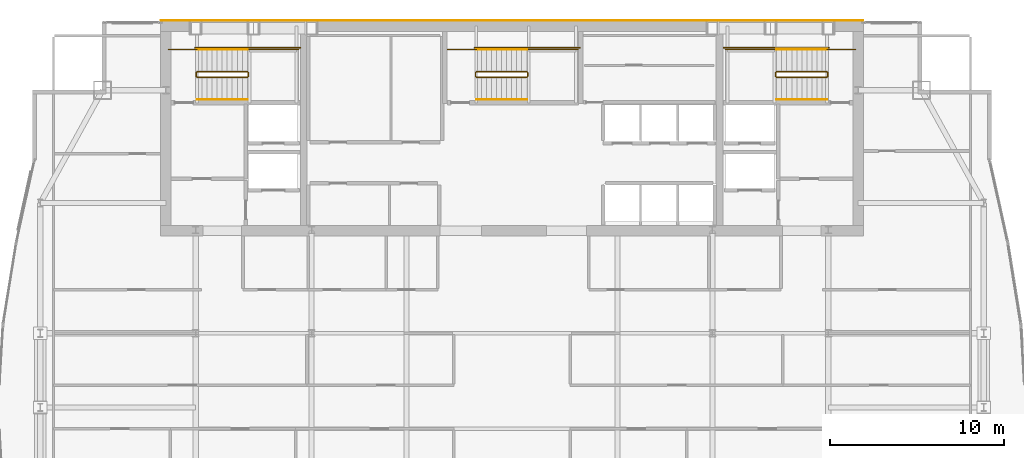
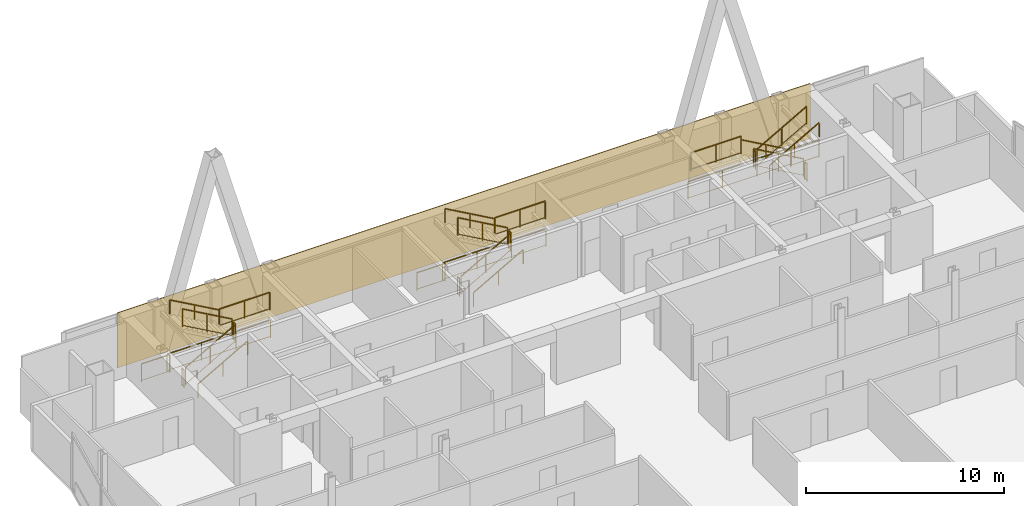
# One storey, part 31 of 31: 27 railings, 1 covering.
"""IFC4 building model written with IfcOpenShell, lengths in metres."""

from ifc_helpers import new_model, si_unit, direction, frame, origin, origin_2d, place, context, subcontext, project, spatial, polyline, rectangle, outline, extrude, material, layer, layer_set, type_object, element, save


model = new_model("IFC4")

# Units and contexts
model_context = context("Model", 3, precision=1e-05, world=origin(), true_north=direction((0.0, 1.0)))
body_context = subcontext(model_context, "Body", "Model", "MODEL_VIEW")
ifc_project = project(units=[si_unit("LENGTHUNIT", "METRE"), si_unit("AREAUNIT", "SQUARE_METRE"), si_unit("VOLUMEUNIT", "CUBIC_METRE"), si_unit("PLANEANGLEUNIT", "RADIAN"), si_unit("MASSUNIT", "GRAM", prefix="KILO")], contexts=[model_context])

# Site, building, storey
site_placement = place(None, origin())
site = spatial("IfcSite", under=ifc_project, at=site_placement, CompositionType="ELEMENT")
building_placement = place(site_placement, origin())
building = spatial("IfcBuilding", under=site, at=building_placement, Name="Khoronbel Lancet Exchange", CompositionType="ELEMENT")
storey_placement = place(building_placement, frame((0.0, 0.0, 261.800048828125)))
storey = spatial("IfcBuildingStorey", under=building, at=storey_placement, Name="L67", CompositionType="ELEMENT", Elevation=261.800048828125)

# Covering
ifc_material_1 = material(Name="Honed Egyptian Limestone & Bronze Rainscreen", Category="masonry")
ifc_layer = layer(ifc_material_1, 0.050048828125, Name="Honed Egyptian Limestone & Bronze Rainscreen")
ifc_layer_set = layer_set([ifc_layer], Name="Honed Egyptian Limestone & Bronze Rainscreen")
covering_type = type_object("IfcCoveringType", Name="COV-CLAD1", PredefinedType="CLADDING", material=ifc_layer_set)
covering_placement = place(storey_placement, origin())
element("IfcCovering", 1, at=covering_placement, inside=storey, type_object=covering_type, Name="Level L67 north rear-core stone and bronze rainscreen cladding", PredefinedType="CLADDING", context=body_context, shape_type="SweptSolid", body=[
    extrude(outline(polyline([(16.199951171875, 53.699951171875), (56.699951171875, 53.699951171875), (56.699951171875, 53.75), (16.199951171875, 53.75), (16.199951171875, 53.699951171875)])), origin(), (0.0, 0.0, 1.0), 3.39990234375),
])

# Railings
ifc_material_2 = material(Name="Painted Steel Balustrade", Category="steel")
railing_type_1 = type_object("IfcRailingType", Name="RL-STG110", PredefinedType="GUARDRAIL", material=ifc_material_2)
railing_1_placement = place(storey_placement, frame((18.300048828125, 50.449951171875, 0.16357421875)))
element("IfcRailing", 2, at=railing_1_placement, inside=storey, type_object=railing_type_1, Name="L67 ST1 stair guard 1", PredefinedType="GUARDRAIL", context=body_context, shape_type="SweptSolid", body=[
    extrude(rectangle(XDim=0.048095703125, YDim=0.048095703125, at=origin_2d()), frame((0.0, 0.0, 1.09619140625), z_axis=(0.870897200241, 0.0, 0.491465224214), x_axis=(0.0, 1.0, 0.0)), (0.0, 0.0, 1.0), 3.329833984375),
    extrude(rectangle(XDim=0.02392578125, YDim=0.02392578125, at=origin_2d()), frame((0.0, 0.0, 0.080078125), z_axis=(0.870897200241, 0.0, 0.491465224214), x_axis=(0.0, 1.0, 0.0)), (0.0, 0.0, 1.0), 3.329833984375),
    extrude(rectangle(XDim=0.0419921875, YDim=0.0419921875, at=origin_2d()), origin(), (0.0, 0.0, 1.0), 1.072021484375),
    extrude(rectangle(XDim=0.0419921875, YDim=0.0419921875, at=origin_2d()), frame((1.449951171875, 0.0, 0.818359375)), (0.0, 0.0, 1.0), 1.072021484375),
    extrude(rectangle(XDim=0.0419921875, YDim=0.0419921875, at=origin_2d()), frame((2.89990234375, 0.0, 1.636474609375)), (0.0, 0.0, 1.0), 1.072021484375),
])
railing_2_placement = place(storey_placement, frame((21.25, 50.5, 1.800048828125)))
element("IfcRailing", 3, at=railing_2_placement, inside=storey, type_object=railing_type_1, Name="L67 ST1 stair guard 2", PredefinedType="GUARDRAIL", context=body_context, shape_type="SweptSolid", body=[
    extrude(rectangle(XDim=0.048095703125, YDim=0.048095703125, at=origin_2d()), frame((0.0, 0.0, 1.09619140625), z_axis=(0.0, 1.0, 0.0), x_axis=(-1.0, 0.0, 0.0)), (0.0, 0.0, 1.0), 0.219970703125),
    extrude(rectangle(XDim=0.02392578125, YDim=0.02392578125, at=origin_2d()), frame((0.0, 0.0, 0.080078125), z_axis=(0.0, 1.0, 0.0), x_axis=(-1.0, 0.0, 0.0)), (0.0, 0.0, 1.0), 0.219970703125),
    extrude(rectangle(XDim=0.0419921875, YDim=0.0419921875, at=origin_2d()), origin(), (0.0, 0.0, 1.0), 1.072021484375),
    extrude(rectangle(XDim=0.0419921875, YDim=0.0419921875, at=origin_2d()), frame((0.0, 0.219970703125, 0.0)), (0.0, 0.0, 1.0), 1.072021484375),
])
railing_3_placement = place(storey_placement, frame((21.199951171875, 52.050048828125, 1.800048828125)))
element("IfcRailing", 4, at=railing_3_placement, inside=storey, type_object=railing_type_1, Name="L67 ST1 stair guard 3", PredefinedType="GUARDRAIL", context=body_context, shape_type="SweptSolid", body=[
    extrude(rectangle(XDim=0.048095703125, YDim=0.048095703125, at=origin_2d()), frame((0.0, 0.0, 1.09619140625), z_axis=(1.0, 0.0, 0.0), x_axis=(0.0, 1.0, 0.0)), (0.0, 0.0, 1.0), 2.949951171875),
    extrude(rectangle(XDim=0.02392578125, YDim=0.02392578125, at=origin_2d()), frame((0.0, 0.0, 0.080078125), z_axis=(1.0, 0.0, 0.0), x_axis=(0.0, 1.0, 0.0)), (0.0, 0.0, 1.0), 2.949951171875),
    extrude(rectangle(XDim=0.0419921875, YDim=0.0419921875, at=origin_2d()), origin(), (0.0, 0.0, 1.0), 1.072021484375),
    extrude(rectangle(XDim=0.0419921875, YDim=0.0419921875, at=origin_2d()), frame((1.47509765625, 0.0, 0.0)), (0.0, 0.0, 1.0), 1.072021484375),
    extrude(rectangle(XDim=0.0419921875, YDim=0.0419921875, at=origin_2d()), frame((2.949951171875, 0.0, 0.0)), (0.0, 0.0, 1.0), 1.072021484375),
])
railing_4_placement = place(storey_placement, frame((21.199951171875, 50.77001953125, 1.963623046875)))
element("IfcRailing", 5, at=railing_4_placement, inside=storey, type_object=railing_type_1, Name="L67 ST1 stair guard 4", PredefinedType="GUARDRAIL", context=body_context, shape_type="SweptSolid", body=[
    extrude(rectangle(XDim=0.048095703125, YDim=0.048095703125, at=origin_2d()), frame((0.0, 0.0, 1.09619140625), z_axis=(-0.870928581787, 0.0, 0.491409610636), x_axis=(0.0, -1.0, 0.0)), (0.0, 0.0, 1.0), 3.32958984375),
    extrude(rectangle(XDim=0.02392578125, YDim=0.02392578125, at=origin_2d()), frame((0.0, 0.0, 0.080078125), z_axis=(-0.870928581787, 0.0, 0.491409610636), x_axis=(0.0, -1.0, 0.0)), (0.0, 0.0, 1.0), 3.32958984375),
    extrude(rectangle(XDim=0.0419921875, YDim=0.0419921875, at=origin_2d()), origin(), (0.0, 0.0, 1.0), 1.072021484375),
    extrude(rectangle(XDim=0.0419921875, YDim=0.0419921875, at=origin_2d()), frame((-1.449951171875, 0.0, 0.818115234375)), (0.0, 0.0, 1.0), 1.072021484375),
    extrude(rectangle(XDim=0.0419921875, YDim=0.0419921875, at=origin_2d()), frame((-2.89990234375, 0.0, 1.63623046875)), (0.0, 0.0, 1.0), 1.072021484375),
])
railing_5_placement = place(storey_placement, frame((18.25, 50.5, 0.0)))
element("IfcRailing", 6, at=railing_5_placement, inside=storey, type_object=railing_type_1, Name="L67 ST1 stair guard 5", PredefinedType="GUARDRAIL", context=body_context, shape_type="SweptSolid", body=[
    extrude(rectangle(XDim=0.048095703125, YDim=0.048095703125, at=origin_2d()), frame((0.0, 0.0, 1.09619140625), z_axis=(0.0, 1.0, 0.0), x_axis=(-1.0, 0.0, 0.0)), (0.0, 0.0, 1.0), 0.219970703125),
    extrude(rectangle(XDim=0.02392578125, YDim=0.02392578125, at=origin_2d()), frame((0.0, 0.0, 0.080078125), z_axis=(0.0, 1.0, 0.0), x_axis=(-1.0, 0.0, 0.0)), (0.0, 0.0, 1.0), 0.219970703125),
    extrude(rectangle(XDim=0.0419921875, YDim=0.0419921875, at=origin_2d()), origin(), (0.0, 0.0, 1.0), 1.072021484375),
    extrude(rectangle(XDim=0.0419921875, YDim=0.0419921875, at=origin_2d()), frame((0.0, 0.219970703125, 0.0)), (0.0, 0.0, 1.0), 1.072021484375),
])
railing_6_placement = place(storey_placement, frame((16.64990234375, 52.050048828125, 0.0)))
element("IfcRailing", 7, at=railing_6_placement, inside=storey, type_object=railing_type_1, Name="L67 ST1 stair guard 6", PredefinedType="GUARDRAIL", context=body_context, shape_type="SweptSolid", body=[
    extrude(rectangle(XDim=0.048095703125, YDim=0.048095703125, at=origin_2d()), frame((0.0, 0.0, 1.09619140625), z_axis=(1.0, 0.0, 0.0), x_axis=(0.0, 1.0, 0.0)), (0.0, 0.0, 1.0), 1.650146484375),
    extrude(rectangle(XDim=0.02392578125, YDim=0.02392578125, at=origin_2d()), frame((0.0, 0.0, 0.080078125), z_axis=(1.0, 0.0, 0.0), x_axis=(0.0, 1.0, 0.0)), (0.0, 0.0, 1.0), 1.650146484375),
    extrude(rectangle(XDim=0.0419921875, YDim=0.0419921875, at=origin_2d()), origin(), (0.0, 0.0, 1.0), 1.072021484375),
    extrude(rectangle(XDim=0.0419921875, YDim=0.0419921875, at=origin_2d()), frame((1.650146484375, 0.0, 0.0)), (0.0, 0.0, 1.0), 1.072021484375),
])
railing_7_placement = place(storey_placement, frame((18.199951171875, 52.14990234375, 0.0)))
element("IfcRailing", 8, at=railing_7_placement, inside=storey, type_object=railing_type_1, Name="L67 ST1 stair guard 7", PredefinedType="GUARDRAIL", context=body_context, shape_type="SweptSolid", body=[
    extrude(rectangle(XDim=0.048095703125, YDim=0.048095703125, at=origin_2d()), frame((0.0, 0.0, 1.09619140625), z_axis=(1.0, 0.0, 0.0), x_axis=(0.0, 1.0, 0.0)), (0.0, 0.0, 1.0), 6.050048828125),
    extrude(rectangle(XDim=0.02392578125, YDim=0.02392578125, at=origin_2d()), frame((0.0, 0.0, 0.080078125), z_axis=(1.0, 0.0, 0.0), x_axis=(0.0, 1.0, 0.0)), (0.0, 0.0, 1.0), 6.050048828125),
    extrude(rectangle(XDim=0.0419921875, YDim=0.0419921875, at=origin_2d()), origin(), (0.0, 0.0, 1.0), 1.072021484375),
    extrude(rectangle(XDim=0.0419921875, YDim=0.0419921875, at=origin_2d()), frame((2.0166015625, 0.0, 0.0)), (0.0, 0.0, 1.0), 1.072021484375),
    extrude(rectangle(XDim=0.0419921875, YDim=0.0419921875, at=origin_2d()), frame((4.033447265625, 0.0, 0.0)), (0.0, 0.0, 1.0), 1.072021484375),
    extrude(rectangle(XDim=0.0419921875, YDim=0.0419921875, at=origin_2d()), frame((6.050048828125, 0.0, 0.0)), (0.0, 0.0, 1.0), 1.072021484375),
])
railing_8_placement = place(storey_placement, frame((54.60009765625, 50.77001953125, 0.16357421875)))
element("IfcRailing", 9, at=railing_8_placement, inside=storey, type_object=railing_type_1, Name="L67 ST2 stair guard 1", PredefinedType="GUARDRAIL", context=body_context, shape_type="SweptSolid", body=[
    extrude(rectangle(XDim=0.048095703125, YDim=0.048095703125, at=origin_2d()), frame((0.0, 0.0, 1.09619140625), z_axis=(-0.870914908162, 0.0, 0.491433843708), x_axis=(0.0, -1.0, 0.0)), (0.0, 0.0, 1.0), 3.330078125),
    extrude(rectangle(XDim=0.02392578125, YDim=0.02392578125, at=origin_2d()), frame((0.0, 0.0, 0.080078125), z_axis=(-0.870914908162, 0.0, 0.491433843708), x_axis=(0.0, -1.0, 0.0)), (0.0, 0.0, 1.0), 3.330078125),
    extrude(rectangle(XDim=0.0419921875, YDim=0.0419921875, at=origin_2d()), origin(), (0.0, 0.0, 1.0), 1.072021484375),
    extrude(rectangle(XDim=0.0419921875, YDim=0.0419921875, at=origin_2d()), frame((-1.4501953125, 0.0, 0.818359375)), (0.0, 0.0, 1.0), 1.072021484375),
    extrude(rectangle(XDim=0.0419921875, YDim=0.0419921875, at=origin_2d()), frame((-2.900146484375, 0.0, 1.636474609375)), (0.0, 0.0, 1.0), 1.072021484375),
])
railing_9_placement = place(storey_placement, frame((51.64990234375, 50.719970703125, 1.800048828125)))
element("IfcRailing", 10, at=railing_9_placement, inside=storey, type_object=railing_type_1, Name="L67 ST2 stair guard 2", PredefinedType="GUARDRAIL", context=body_context, shape_type="SweptSolid", body=[
    extrude(rectangle(XDim=0.048095703125, YDim=0.048095703125, at=origin_2d()), frame((0.0, 0.0, 1.09619140625), z_axis=(0.0, -1.0, 0.0), x_axis=(1.0, 0.0, 0.0)), (0.0, 0.0, 1.0), 0.219970703125),
    extrude(rectangle(XDim=0.02392578125, YDim=0.02392578125, at=origin_2d()), frame((0.0, 0.0, 0.080078125), z_axis=(0.0, -1.0, 0.0), x_axis=(1.0, 0.0, 0.0)), (0.0, 0.0, 1.0), 0.219970703125),
    extrude(rectangle(XDim=0.0419921875, YDim=0.0419921875, at=origin_2d()), origin(), (0.0, 0.0, 1.0), 1.072021484375),
    extrude(rectangle(XDim=0.0419921875, YDim=0.0419921875, at=origin_2d()), frame((0.0, -0.219970703125, 0.0)), (0.0, 0.0, 1.0), 1.072021484375),
])
railing_10_placement = place(storey_placement, frame((51.699951171875, 52.050048828125, 1.800048828125)))
element("IfcRailing", 11, at=railing_10_placement, inside=storey, type_object=railing_type_1, Name="L67 ST2 stair guard 3", PredefinedType="GUARDRAIL", context=body_context, shape_type="SweptSolid", body=[
    extrude(rectangle(XDim=0.048095703125, YDim=0.048095703125, at=origin_2d()), frame((0.0, 0.0, 1.09619140625), z_axis=(-1.0, 0.0, 0.0), x_axis=(0.0, -1.0, 0.0)), (0.0, 0.0, 1.0), 2.949951171875),
    extrude(rectangle(XDim=0.02392578125, YDim=0.02392578125, at=origin_2d()), frame((0.0, 0.0, 0.080078125), z_axis=(-1.0, 0.0, 0.0), x_axis=(0.0, -1.0, 0.0)), (0.0, 0.0, 1.0), 2.949951171875),
    extrude(rectangle(XDim=0.0419921875, YDim=0.0419921875, at=origin_2d()), origin(), (0.0, 0.0, 1.0), 1.072021484375),
    extrude(rectangle(XDim=0.0419921875, YDim=0.0419921875, at=origin_2d()), frame((-1.47509765625, 0.0, 0.0)), (0.0, 0.0, 1.0), 1.072021484375),
    extrude(rectangle(XDim=0.0419921875, YDim=0.0419921875, at=origin_2d()), frame((-2.949951171875, 0.0, 0.0)), (0.0, 0.0, 1.0), 1.072021484375),
])
railing_11_placement = place(storey_placement, frame((51.699951171875, 50.449951171875, 1.963623046875)))
element("IfcRailing", 12, at=railing_11_placement, inside=storey, type_object=railing_type_1, Name="L67 ST2 stair guard 4", PredefinedType="GUARDRAIL", context=body_context, shape_type="SweptSolid", body=[
    extrude(rectangle(XDim=0.048095703125, YDim=0.048095703125, at=origin_2d()), frame((0.0, 0.0, 1.09619140625), z_axis=(0.870946286338, 0.0, 0.49137823142), x_axis=(0.0, 1.0, 0.0)), (0.0, 0.0, 1.0), 3.329833984375),
    extrude(rectangle(XDim=0.02392578125, YDim=0.02392578125, at=origin_2d()), frame((0.0, 0.0, 0.080078125), z_axis=(0.870946286338, 0.0, 0.49137823142), x_axis=(0.0, 1.0, 0.0)), (0.0, 0.0, 1.0), 3.329833984375),
    extrude(rectangle(XDim=0.0419921875, YDim=0.0419921875, at=origin_2d()), origin(), (0.0, 0.0, 1.0), 1.072021484375),
    extrude(rectangle(XDim=0.0419921875, YDim=0.0419921875, at=origin_2d()), frame((1.4501953125, 0.0, 0.818115234375)), (0.0, 0.0, 1.0), 1.072021484375),
    extrude(rectangle(XDim=0.0419921875, YDim=0.0419921875, at=origin_2d()), frame((2.900146484375, 0.0, 1.63623046875)), (0.0, 0.0, 1.0), 1.072021484375),
])
railing_12_placement = place(storey_placement, frame((54.64990234375, 50.719970703125, 0.0)))
element("IfcRailing", 13, at=railing_12_placement, inside=storey, type_object=railing_type_1, Name="L67 ST2 stair guard 5", PredefinedType="GUARDRAIL", context=body_context, shape_type="SweptSolid", body=[
    extrude(rectangle(XDim=0.048095703125, YDim=0.048095703125, at=origin_2d()), frame((0.0, 0.0, 1.09619140625), z_axis=(0.0, -1.0, 0.0), x_axis=(1.0, 0.0, 0.0)), (0.0, 0.0, 1.0), 0.219970703125),
    extrude(rectangle(XDim=0.02392578125, YDim=0.02392578125, at=origin_2d()), frame((0.0, 0.0, 0.080078125), z_axis=(0.0, -1.0, 0.0), x_axis=(1.0, 0.0, 0.0)), (0.0, 0.0, 1.0), 0.219970703125),
    extrude(rectangle(XDim=0.0419921875, YDim=0.0419921875, at=origin_2d()), origin(), (0.0, 0.0, 1.0), 1.072021484375),
    extrude(rectangle(XDim=0.0419921875, YDim=0.0419921875, at=origin_2d()), frame((0.0, -0.219970703125, 0.0)), (0.0, 0.0, 1.0), 1.072021484375),
])
railing_13_placement = place(storey_placement, frame((56.25, 52.050048828125, 0.0)))
element("IfcRailing", 14, at=railing_13_placement, inside=storey, type_object=railing_type_1, Name="L67 ST2 stair guard 6", PredefinedType="GUARDRAIL", context=body_context, shape_type="SweptSolid", body=[
    extrude(rectangle(XDim=0.048095703125, YDim=0.048095703125, at=origin_2d()), frame((0.0, 0.0, 1.09619140625), z_axis=(-1.0, 0.0, 0.0), x_axis=(0.0, -1.0, 0.0)), (0.0, 0.0, 1.0), 1.64990234375),
    extrude(rectangle(XDim=0.02392578125, YDim=0.02392578125, at=origin_2d()), frame((0.0, 0.0, 0.080078125), z_axis=(-1.0, 0.0, 0.0), x_axis=(0.0, -1.0, 0.0)), (0.0, 0.0, 1.0), 1.64990234375),
    extrude(rectangle(XDim=0.0419921875, YDim=0.0419921875, at=origin_2d()), origin(), (0.0, 0.0, 1.0), 1.072021484375),
    extrude(rectangle(XDim=0.0419921875, YDim=0.0419921875, at=origin_2d()), frame((-1.64990234375, 0.0, 0.0)), (0.0, 0.0, 1.0), 1.072021484375),
])
railing_14_placement = place(storey_placement, frame((54.699951171875, 52.14990234375, 0.0)))
element("IfcRailing", 15, at=railing_14_placement, inside=storey, type_object=railing_type_1, Name="L67 ST2 stair guard 7", PredefinedType="GUARDRAIL", context=body_context, shape_type="SweptSolid", body=[
    extrude(rectangle(XDim=0.048095703125, YDim=0.048095703125, at=origin_2d()), frame((0.0, 0.0, 1.09619140625), z_axis=(-1.0, 0.0, 0.0), x_axis=(0.0, -1.0, 0.0)), (0.0, 0.0, 1.0), 6.050048828125),
    extrude(rectangle(XDim=0.02392578125, YDim=0.02392578125, at=origin_2d()), frame((0.0, 0.0, 0.080078125), z_axis=(-1.0, 0.0, 0.0), x_axis=(0.0, -1.0, 0.0)), (0.0, 0.0, 1.0), 6.050048828125),
    extrude(rectangle(XDim=0.0419921875, YDim=0.0419921875, at=origin_2d()), origin(), (0.0, 0.0, 1.0), 1.072021484375),
    extrude(rectangle(XDim=0.0419921875, YDim=0.0419921875, at=origin_2d()), frame((-2.0166015625, 0.0, 0.0)), (0.0, 0.0, 1.0), 1.072021484375),
    extrude(rectangle(XDim=0.0419921875, YDim=0.0419921875, at=origin_2d()), frame((-4.033447265625, 0.0, 0.0)), (0.0, 0.0, 1.0), 1.072021484375),
    extrude(rectangle(XDim=0.0419921875, YDim=0.0419921875, at=origin_2d()), frame((-6.050048828125, 0.0, 0.0)), (0.0, 0.0, 1.0), 1.072021484375),
])
railing_15_placement = place(storey_placement, frame((34.39990234375, 50.449951171875, 0.16357421875)))
element("IfcRailing", 16, at=railing_15_placement, inside=storey, type_object=railing_type_1, Name="L67 ST3 stair guard 1", PredefinedType="GUARDRAIL", context=body_context, shape_type="SweptSolid", body=[
    extrude(rectangle(XDim=0.048095703125, YDim=0.048095703125, at=origin_2d()), frame((0.0, 0.0, 1.09619140625), z_axis=(0.870914908162, 0.0, 0.491433843708), x_axis=(0.0, 1.0, 0.0)), (0.0, 0.0, 1.0), 3.330078125),
    extrude(rectangle(XDim=0.02392578125, YDim=0.02392578125, at=origin_2d()), frame((0.0, 0.0, 0.080078125), z_axis=(0.870914908162, 0.0, 0.491433843708), x_axis=(0.0, 1.0, 0.0)), (0.0, 0.0, 1.0), 3.330078125),
    extrude(rectangle(XDim=0.0419921875, YDim=0.0419921875, at=origin_2d()), origin(), (0.0, 0.0, 1.0), 1.072021484375),
    extrude(rectangle(XDim=0.0419921875, YDim=0.0419921875, at=origin_2d()), frame((1.4501953125, 0.0, 0.818359375)), (0.0, 0.0, 1.0), 1.072021484375),
    extrude(rectangle(XDim=0.0419921875, YDim=0.0419921875, at=origin_2d()), frame((2.900146484375, 0.0, 1.636474609375)), (0.0, 0.0, 1.0), 1.072021484375),
])
railing_16_placement = place(storey_placement, frame((37.35009765625, 50.5, 1.800048828125)))
element("IfcRailing", 17, at=railing_16_placement, inside=storey, type_object=railing_type_1, Name="L67 ST3 stair guard 2", PredefinedType="GUARDRAIL", context=body_context, shape_type="SweptSolid", body=[
    extrude(rectangle(XDim=0.048095703125, YDim=0.048095703125, at=origin_2d()), frame((0.0, 0.0, 1.09619140625), z_axis=(0.0, 1.0, 0.0), x_axis=(-1.0, 0.0, 0.0)), (0.0, 0.0, 1.0), 0.219970703125),
    extrude(rectangle(XDim=0.02392578125, YDim=0.02392578125, at=origin_2d()), frame((0.0, 0.0, 0.080078125), z_axis=(0.0, 1.0, 0.0), x_axis=(-1.0, 0.0, 0.0)), (0.0, 0.0, 1.0), 0.219970703125),
    extrude(rectangle(XDim=0.0419921875, YDim=0.0419921875, at=origin_2d()), origin(), (0.0, 0.0, 1.0), 1.072021484375),
    extrude(rectangle(XDim=0.0419921875, YDim=0.0419921875, at=origin_2d()), frame((0.0, 0.219970703125, 0.0)), (0.0, 0.0, 1.0), 1.072021484375),
])
railing_17_placement = place(storey_placement, frame((37.300048828125, 52.050048828125, 1.800048828125)))
element("IfcRailing", 18, at=railing_17_placement, inside=storey, type_object=railing_type_1, Name="L67 ST3 stair guard 3", PredefinedType="GUARDRAIL", context=body_context, shape_type="SweptSolid", body=[
    extrude(rectangle(XDim=0.048095703125, YDim=0.048095703125, at=origin_2d()), frame((0.0, 0.0, 1.09619140625), z_axis=(1.0, 0.0, 0.0), x_axis=(0.0, 1.0, 0.0)), (0.0, 0.0, 1.0), 2.949951171875),
    extrude(rectangle(XDim=0.02392578125, YDim=0.02392578125, at=origin_2d()), frame((0.0, 0.0, 0.080078125), z_axis=(1.0, 0.0, 0.0), x_axis=(0.0, 1.0, 0.0)), (0.0, 0.0, 1.0), 2.949951171875),
    extrude(rectangle(XDim=0.0419921875, YDim=0.0419921875, at=origin_2d()), origin(), (0.0, 0.0, 1.0), 1.072021484375),
    extrude(rectangle(XDim=0.0419921875, YDim=0.0419921875, at=origin_2d()), frame((1.47509765625, 0.0, 0.0)), (0.0, 0.0, 1.0), 1.072021484375),
    extrude(rectangle(XDim=0.0419921875, YDim=0.0419921875, at=origin_2d()), frame((2.949951171875, 0.0, 0.0)), (0.0, 0.0, 1.0), 1.072021484375),
])
railing_18_placement = place(storey_placement, frame((37.300048828125, 50.77001953125, 1.963623046875)))
element("IfcRailing", 19, at=railing_18_placement, inside=storey, type_object=railing_type_1, Name="L67 ST3 stair guard 4", PredefinedType="GUARDRAIL", context=body_context, shape_type="SweptSolid", body=[
    extrude(rectangle(XDim=0.048095703125, YDim=0.048095703125, at=origin_2d()), frame((0.0, 0.0, 1.09619140625), z_axis=(-0.870946286338, 0.0, 0.49137823142), x_axis=(0.0, -1.0, 0.0)), (0.0, 0.0, 1.0), 3.329833984375),
    extrude(rectangle(XDim=0.02392578125, YDim=0.02392578125, at=origin_2d()), frame((0.0, 0.0, 0.080078125), z_axis=(-0.870946286338, 0.0, 0.49137823142), x_axis=(0.0, -1.0, 0.0)), (0.0, 0.0, 1.0), 3.329833984375),
    extrude(rectangle(XDim=0.0419921875, YDim=0.0419921875, at=origin_2d()), origin(), (0.0, 0.0, 1.0), 1.072021484375),
    extrude(rectangle(XDim=0.0419921875, YDim=0.0419921875, at=origin_2d()), frame((-1.4501953125, 0.0, 0.818115234375)), (0.0, 0.0, 1.0), 1.072021484375),
    extrude(rectangle(XDim=0.0419921875, YDim=0.0419921875, at=origin_2d()), frame((-2.900146484375, 0.0, 1.63623046875)), (0.0, 0.0, 1.0), 1.072021484375),
])
railing_19_placement = place(storey_placement, frame((34.35009765625, 50.5, 0.0)))
element("IfcRailing", 20, at=railing_19_placement, inside=storey, type_object=railing_type_1, Name="L67 ST3 stair guard 5", PredefinedType="GUARDRAIL", context=body_context, shape_type="SweptSolid", body=[
    extrude(rectangle(XDim=0.048095703125, YDim=0.048095703125, at=origin_2d()), frame((0.0, 0.0, 1.09619140625), z_axis=(0.0, 1.0, 0.0), x_axis=(-1.0, 0.0, 0.0)), (0.0, 0.0, 1.0), 0.219970703125),
    extrude(rectangle(XDim=0.02392578125, YDim=0.02392578125, at=origin_2d()), frame((0.0, 0.0, 0.080078125), z_axis=(0.0, 1.0, 0.0), x_axis=(-1.0, 0.0, 0.0)), (0.0, 0.0, 1.0), 0.219970703125),
    extrude(rectangle(XDim=0.0419921875, YDim=0.0419921875, at=origin_2d()), origin(), (0.0, 0.0, 1.0), 1.072021484375),
    extrude(rectangle(XDim=0.0419921875, YDim=0.0419921875, at=origin_2d()), frame((0.0, 0.219970703125, 0.0)), (0.0, 0.0, 1.0), 1.072021484375),
])
railing_20_placement = place(storey_placement, frame((32.75, 52.050048828125, 0.0)))
element("IfcRailing", 21, at=railing_20_placement, inside=storey, type_object=railing_type_1, Name="L67 ST3 stair guard 6", PredefinedType="GUARDRAIL", context=body_context, shape_type="SweptSolid", body=[
    extrude(rectangle(XDim=0.048095703125, YDim=0.048095703125, at=origin_2d()), frame((0.0, 0.0, 1.09619140625), z_axis=(1.0, 0.0, 0.0), x_axis=(0.0, 1.0, 0.0)), (0.0, 0.0, 1.0), 1.64990234375),
    extrude(rectangle(XDim=0.02392578125, YDim=0.02392578125, at=origin_2d()), frame((0.0, 0.0, 0.080078125), z_axis=(1.0, 0.0, 0.0), x_axis=(0.0, 1.0, 0.0)), (0.0, 0.0, 1.0), 1.64990234375),
    extrude(rectangle(XDim=0.0419921875, YDim=0.0419921875, at=origin_2d()), origin(), (0.0, 0.0, 1.0), 1.072021484375),
    extrude(rectangle(XDim=0.0419921875, YDim=0.0419921875, at=origin_2d()), frame((1.64990234375, 0.0, 0.0)), (0.0, 0.0, 1.0), 1.072021484375),
])
railing_21_placement = place(storey_placement, frame((34.300048828125, 52.14990234375, 0.0)))
element("IfcRailing", 22, at=railing_21_placement, inside=storey, type_object=railing_type_1, Name="L67 ST3 stair guard 7", PredefinedType="GUARDRAIL", context=body_context, shape_type="SweptSolid", body=[
    extrude(rectangle(XDim=0.048095703125, YDim=0.048095703125, at=origin_2d()), frame((0.0, 0.0, 1.09619140625), z_axis=(1.0, 0.0, 0.0), x_axis=(0.0, 1.0, 0.0)), (0.0, 0.0, 1.0), 6.050048828125),
    extrude(rectangle(XDim=0.02392578125, YDim=0.02392578125, at=origin_2d()), frame((0.0, 0.0, 0.080078125), z_axis=(1.0, 0.0, 0.0), x_axis=(0.0, 1.0, 0.0)), (0.0, 0.0, 1.0), 6.050048828125),
    extrude(rectangle(XDim=0.0419921875, YDim=0.0419921875, at=origin_2d()), origin(), (0.0, 0.0, 1.0), 1.072021484375),
    extrude(rectangle(XDim=0.0419921875, YDim=0.0419921875, at=origin_2d()), frame((2.0166015625, 0.0, 0.0)), (0.0, 0.0, 1.0), 1.072021484375),
    extrude(rectangle(XDim=0.0419921875, YDim=0.0419921875, at=origin_2d()), frame((4.033447265625, 0.0, 0.0)), (0.0, 0.0, 1.0), 1.072021484375),
    extrude(rectangle(XDim=0.0419921875, YDim=0.0419921875, at=origin_2d()), frame((6.050048828125, 0.0, 0.0)), (0.0, 0.0, 1.0), 1.072021484375),
])
ifc_material_3 = material(Name="Brushed Stainless Steel 316", Category="steel")
railing_type_2 = type_object("IfcRailingType", Name="RL-STH92", PredefinedType="HANDRAIL", material=ifc_material_3)
railing_22_placement = place(storey_placement, frame((18.300048828125, 49.169921875, 0.16357421875)))
element("IfcRailing", 23, at=railing_22_placement, inside=storey, type_object=railing_type_2, Name="L67 ST1 stair handrail 1", PredefinedType="HANDRAIL", context=body_context, shape_type="SweptSolid", body=[
    extrude(rectangle(XDim=0.048095703125, YDim=0.048095703125, at=origin_2d()), frame((0.0, 0.0, 0.8759765625), z_axis=(0.870897200241, 0.0, 0.491465224214), x_axis=(0.0, 1.0, 0.0)), (0.0, 0.0, 1.0), 3.329833984375),
    extrude(rectangle(XDim=0.0419921875, YDim=0.0419921875, at=origin_2d()), origin(), (0.0, 0.0, 1.0), 0.851806640625),
    extrude(rectangle(XDim=0.0419921875, YDim=0.0419921875, at=origin_2d()), frame((1.449951171875, 0.0, 0.818359375)), (0.0, 0.0, 1.0), 0.851806640625),
    extrude(rectangle(XDim=0.0419921875, YDim=0.0419921875, at=origin_2d()), frame((2.89990234375, 0.0, 1.636474609375)), (0.0, 0.0, 1.0), 0.851806640625),
])
railing_23_placement = place(storey_placement, frame((21.199951171875, 52.050048828125, 1.963623046875)))
element("IfcRailing", 24, at=railing_23_placement, inside=storey, type_object=railing_type_2, Name="L67 ST1 stair handrail 2", PredefinedType="HANDRAIL", context=body_context, shape_type="SweptSolid", body=[
    extrude(rectangle(XDim=0.048095703125, YDim=0.048095703125, at=origin_2d()), frame((0.0, 0.0, 0.8759765625), z_axis=(-0.870928581787, 0.0, 0.491409610636), x_axis=(0.0, -1.0, 0.0)), (0.0, 0.0, 1.0), 3.32958984375),
    extrude(rectangle(XDim=0.0419921875, YDim=0.0419921875, at=origin_2d()), origin(), (0.0, 0.0, 1.0), 0.851806640625),
    extrude(rectangle(XDim=0.0419921875, YDim=0.0419921875, at=origin_2d()), frame((-1.449951171875, 0.0, 0.818115234375)), (0.0, 0.0, 1.0), 0.851806640625),
    extrude(rectangle(XDim=0.0419921875, YDim=0.0419921875, at=origin_2d()), frame((-2.89990234375, 0.0, 1.63623046875)), (0.0, 0.0, 1.0), 0.851806640625),
])
railing_24_placement = place(storey_placement, frame((54.60009765625, 52.050048828125, 0.16357421875)))
element("IfcRailing", 25, at=railing_24_placement, inside=storey, type_object=railing_type_2, Name="L67 ST2 stair handrail 1", PredefinedType="HANDRAIL", context=body_context, shape_type="SweptSolid", body=[
    extrude(rectangle(XDim=0.048095703125, YDim=0.048095703125, at=origin_2d()), frame((0.0, 0.0, 0.8759765625), z_axis=(-0.870914908162, 0.0, 0.491433843708), x_axis=(0.0, -1.0, 0.0)), (0.0, 0.0, 1.0), 3.330078125),
    extrude(rectangle(XDim=0.0419921875, YDim=0.0419921875, at=origin_2d()), origin(), (0.0, 0.0, 1.0), 0.851806640625),
    extrude(rectangle(XDim=0.0419921875, YDim=0.0419921875, at=origin_2d()), frame((-1.4501953125, 0.0, 0.818359375)), (0.0, 0.0, 1.0), 0.851806640625),
    extrude(rectangle(XDim=0.0419921875, YDim=0.0419921875, at=origin_2d()), frame((-2.900146484375, 0.0, 1.636474609375)), (0.0, 0.0, 1.0), 0.851806640625),
])
railing_25_placement = place(storey_placement, frame((51.699951171875, 49.169921875, 1.963623046875)))
element("IfcRailing", 26, at=railing_25_placement, inside=storey, type_object=railing_type_2, Name="L67 ST2 stair handrail 2", PredefinedType="HANDRAIL", context=body_context, shape_type="SweptSolid", body=[
    extrude(rectangle(XDim=0.048095703125, YDim=0.048095703125, at=origin_2d()), frame((0.0, 0.0, 0.8759765625), z_axis=(0.870946286338, 0.0, 0.49137823142), x_axis=(0.0, 1.0, 0.0)), (0.0, 0.0, 1.0), 3.329833984375),
    extrude(rectangle(XDim=0.0419921875, YDim=0.0419921875, at=origin_2d()), origin(), (0.0, 0.0, 1.0), 0.851806640625),
    extrude(rectangle(XDim=0.0419921875, YDim=0.0419921875, at=origin_2d()), frame((1.4501953125, 0.0, 0.818115234375)), (0.0, 0.0, 1.0), 0.851806640625),
    extrude(rectangle(XDim=0.0419921875, YDim=0.0419921875, at=origin_2d()), frame((2.900146484375, 0.0, 1.63623046875)), (0.0, 0.0, 1.0), 0.851806640625),
])
railing_26_placement = place(storey_placement, frame((34.39990234375, 49.169921875, 0.16357421875)))
element("IfcRailing", 27, at=railing_26_placement, inside=storey, type_object=railing_type_2, Name="L67 ST3 stair handrail 1", PredefinedType="HANDRAIL", context=body_context, shape_type="SweptSolid", body=[
    extrude(rectangle(XDim=0.048095703125, YDim=0.048095703125, at=origin_2d()), frame((0.0, 0.0, 0.8759765625), z_axis=(0.870914908162, 0.0, 0.491433843708), x_axis=(0.0, 1.0, 0.0)), (0.0, 0.0, 1.0), 3.330078125),
    extrude(rectangle(XDim=0.0419921875, YDim=0.0419921875, at=origin_2d()), origin(), (0.0, 0.0, 1.0), 0.851806640625),
    extrude(rectangle(XDim=0.0419921875, YDim=0.0419921875, at=origin_2d()), frame((1.4501953125, 0.0, 0.818359375)), (0.0, 0.0, 1.0), 0.851806640625),
    extrude(rectangle(XDim=0.0419921875, YDim=0.0419921875, at=origin_2d()), frame((2.900146484375, 0.0, 1.636474609375)), (0.0, 0.0, 1.0), 0.851806640625),
])
railing_27_placement = place(storey_placement, frame((37.300048828125, 52.050048828125, 1.963623046875)))
element("IfcRailing", 28, at=railing_27_placement, inside=storey, type_object=railing_type_2, Name="L67 ST3 stair handrail 2", PredefinedType="HANDRAIL", context=body_context, shape_type="SweptSolid", body=[
    extrude(rectangle(XDim=0.048095703125, YDim=0.048095703125, at=origin_2d()), frame((0.0, 0.0, 0.8759765625), z_axis=(-0.870946286338, 0.0, 0.49137823142), x_axis=(0.0, -1.0, 0.0)), (0.0, 0.0, 1.0), 3.329833984375),
    extrude(rectangle(XDim=0.0419921875, YDim=0.0419921875, at=origin_2d()), origin(), (0.0, 0.0, 1.0), 0.851806640625),
    extrude(rectangle(XDim=0.0419921875, YDim=0.0419921875, at=origin_2d()), frame((-1.4501953125, 0.0, 0.818115234375)), (0.0, 0.0, 1.0), 0.851806640625),
    extrude(rectangle(XDim=0.0419921875, YDim=0.0419921875, at=origin_2d()), frame((-2.900146484375, 0.0, 1.63623046875)), (0.0, 0.0, 1.0), 0.851806640625),
])

save(model, "model.ifc")
